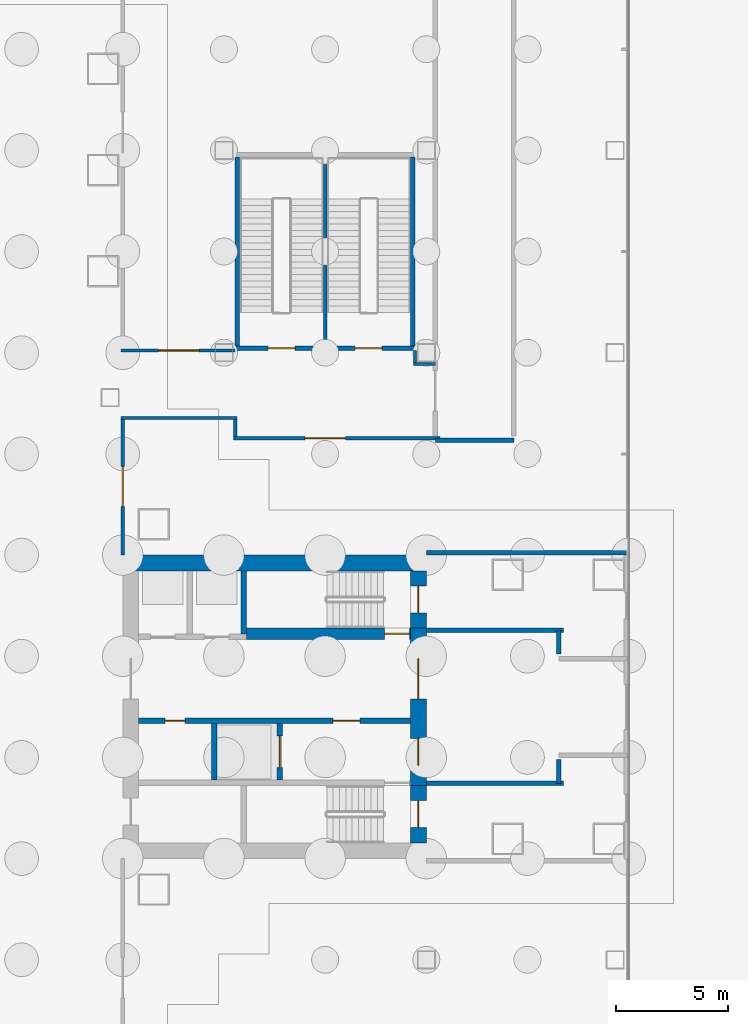
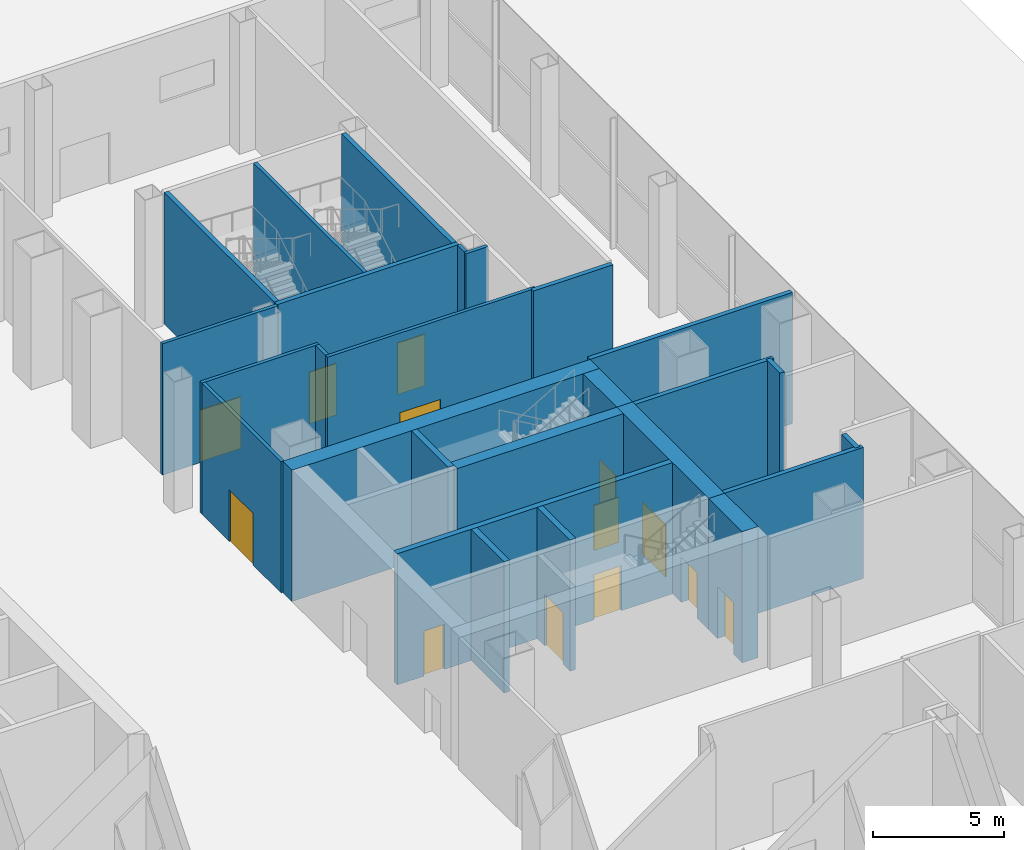
# One storey, part 23 of 37: 26 walls, 13 doors, 13 openings.
"""IFC4 building model written with IfcOpenShell, lengths in metres."""

from ifc_helpers import new_model, si_unit, direction, frame, frame_2d, origin, place, context, subcontext, project, spatial, rectangle, extrude, material, layer, layer_set, type_object, element, fill, save


model = new_model("IFC4")

# Units and contexts
model_context = context("Model", 3, precision=1e-05, world=origin(), true_north=direction((0.0, 1.0)))
body_context = subcontext(model_context, "Body", "Model", "MODEL_VIEW")
ifc_project = project(units=[si_unit("LENGTHUNIT", "METRE"), si_unit("AREAUNIT", "SQUARE_METRE"), si_unit("VOLUMEUNIT", "CUBIC_METRE"), si_unit("PLANEANGLEUNIT", "RADIAN"), si_unit("MASSUNIT", "GRAM", prefix="KILO")], contexts=[model_context])

# Site, building, storey
site_placement = place(None, origin())
site = spatial("IfcSite", under=ifc_project, at=site_placement, CompositionType="ELEMENT")
building_placement = place(site_placement, origin())
building = spatial("IfcBuilding", under=site, at=building_placement, Name="Shamsa Quay Exchange Towers", CompositionType="ELEMENT")
storey_placement = place(building_placement, origin())
storey = spatial("IfcBuildingStorey", under=building, at=storey_placement, Name="L00", CompositionType="ELEMENT", Elevation=0.0)

# Wall
ifc_material_1 = material(Name="Concrete C80/95", Category="concrete")
ifc_layer_1 = layer(ifc_material_1, 0.699951171875)
ifc_layer_set_1 = layer_set([ifc_layer_1], Name="CORE WALL 700 C80/95")
wall_type_1 = type_object("IfcWallType", Name="CORE WALL 700 C80/95", PredefinedType="SHEAR", material=ifc_layer_set_1)
wall_1_placement = place(storey_placement, frame((54.0, 6.39990234375, 0.0), z_axis=(0.0, 0.0, 1.0), x_axis=(-1.0, 0.0, 0.0)))
element("IfcWall", 1, at=wall_1_placement, inside=storey, type_object=wall_type_1, Name="Core wall T2B-L00-PN", PredefinedType="SHEAR", context=body_context, shape_type="SweptSolid", body=[
    extrude(rectangle(XDim=13.5, YDim=0.699951171875, at=frame_2d((6.75, 0.0))), origin(), (0.0, 0.0, 1.0), 6.10009765625),
])

# Wall, opening, door
wall_2_placement = place(storey_placement, frame((53.64990234375, -3.5, 0.0), z_axis=(0.0, 0.0, 1.0), x_axis=(0.0, -1.0, 0.0)))
wall_2 = element("IfcWall", 2, at=wall_2_placement, inside=storey, type_object=wall_type_1, Name="Core wall T2B-L00-PFS", PredefinedType="SHEAR", context=body_context, shape_type="SweptSolid", body=[
    extrude(rectangle(XDim=2.550048828125, YDim=0.699951171875, at=frame_2d((1.27490234375, 0.0))), origin(), (0.0, 0.0, 1.0), 6.10009765625),
])
opening_1_placement = place(wall_2_placement, frame((0.675048828125, 0.0, 0.0)))
opening_1 = element("IfcOpeningElement", 3, at=opening_1_placement, cuts=wall_2, Name="Opening T2B-L00-XD01", PredefinedType="OPENING", context=body_context, shape_type="SweptSolid", body=[
    extrude(rectangle(XDim=1.199951171875, YDim=2.39990234375, at=frame_2d((0.60009765625, 1.199951171875))), frame((0.0, 0.35986328125, 0.0), z_axis=(0.0, -1.0, 0.0), x_axis=(1.0, 0.0, 0.0)), (0.0, 0.0, 1.0), 0.719970703125),
])
ifc_material_2 = material(Name="Steel, fire rated", Category="steel")
door_type_1 = type_object("IfcDoorType", Name="STAIR DISCHARGE DOOR 1200", OperationType="SINGLE_SWING_LEFT", PredefinedType="DOOR", material=ifc_material_2)
door_1_placement = place(opening_1_placement, origin())
door_1 = element("IfcDoor", 4, at=door_1_placement, inside=storey, type_object=door_type_1, Name="T2B-L00-XD01", OperationType="SINGLE_SWING_RIGHT", OverallHeight=2.39990234375, OverallWidth=1.199951171875, PredefinedType="DOOR", context=body_context, shape_type="SweptSolid", body=[
    extrude(rectangle(XDim=1.199951171875, YDim=2.39990234375, at=frame_2d((0.60009765625, 1.199951171875))), frame((0.0, 0.02490234375, 0.0), z_axis=(0.0, -1.0, 0.0), x_axis=(1.0, 0.0, 0.0)), (0.0, 0.0, 1.0), 0.050048828125),
])
fill(opening_1, door_1)

# Wall, openings, doors
wall_3_placement = place(storey_placement, frame((53.64990234375, -3.5, 0.0), z_axis=(0.0, 0.0, 1.0), x_axis=(0.0, 1.0, 0.0)))
wall_3 = element("IfcWall", 5, at=wall_3_placement, inside=storey, type_object=wall_type_1, Name="Core wall T2B-L00-PF", PredefinedType="SHEAR", context=body_context, shape_type="SweptSolid", body=[
    extrude(rectangle(XDim=7.0, YDim=0.699951171875, at=frame_2d((3.5, 0.0))), origin(), (0.0, 0.0, 1.0), 6.10009765625),
])
opening_2_placement = place(wall_3_placement, frame((0.89990234375, 0.0, 0.0)))
opening_2 = element("IfcOpeningElement", 6, at=opening_2_placement, cuts=wall_3, Name="Opening T2B-L00-FD02", PredefinedType="OPENING", context=body_context, shape_type="SweptSolid", body=[
    extrude(rectangle(XDim=1.199951171875, YDim=2.10009765625, at=frame_2d((0.60009765625, 1.050048828125))), frame((0.0, 0.35986328125, 0.0), z_axis=(0.0, -1.0, 0.0), x_axis=(1.0, 0.0, 0.0)), (0.0, 0.0, 1.0), 0.719970703125),
])
opening_3_placement = place(wall_3_placement, frame((3.85009765625, 0.0, 0.0)))
opening_3 = element("IfcOpeningElement", 7, at=opening_3_placement, cuts=wall_3, Name="Opening T2B-L00-LBD03", PredefinedType="OPENING", context=body_context, shape_type="SweptSolid", body=[
    extrude(rectangle(XDim=1.800048828125, YDim=2.39990234375, at=frame_2d((0.89990234375, 1.199951171875))), frame((0.0, 0.35986328125, 0.0), z_axis=(0.0, -1.0, 0.0), x_axis=(1.0, 0.0, 0.0)), (0.0, 0.0, 1.0), 0.719970703125),
])
door_type_2 = type_object("IfcDoorType", Name="FIRE SERVICE LOBBY DOOR 1200", OperationType="SINGLE_SWING_LEFT", PredefinedType="DOOR", material=ifc_material_2)
door_2_placement = place(opening_2_placement, origin())
door_2 = element("IfcDoor", 8, at=door_2_placement, inside=storey, type_object=door_type_2, Name="T2B-L00-FD02", OperationType="SINGLE_SWING_LEFT", OverallHeight=2.10009765625, OverallWidth=1.199951171875, PredefinedType="DOOR", context=body_context, shape_type="SweptSolid", body=[
    extrude(rectangle(XDim=1.199951171875, YDim=2.10009765625, at=frame_2d((0.60009765625, 1.050048828125))), frame((0.0, 0.02490234375, 0.0), z_axis=(0.0, -1.0, 0.0), x_axis=(1.0, 0.0, 0.0)), (0.0, 0.0, 1.0), 0.050048828125),
])
fill(opening_2, door_2)
door_type_3 = type_object("IfcDoorType", Name="LIFT LOBBY DOOR PAIR 1800", OperationType="DOUBLE_DOOR_SINGLE_SWING", PredefinedType="DOOR", material=ifc_material_2)
door_3_placement = place(opening_3_placement, origin())
door_3 = element("IfcDoor", 9, at=door_3_placement, inside=storey, type_object=door_type_3, Name="T2B-L00-LBD03", OperationType="DOUBLE_DOOR_SINGLE_SWING", OverallHeight=2.39990234375, OverallWidth=1.800048828125, PredefinedType="DOOR", context=body_context, shape_type="SweptSolid", body=[
    extrude(rectangle(XDim=1.800048828125, YDim=2.39990234375, at=frame_2d((0.89990234375, 1.199951171875))), frame((0.0, 0.02490234375, 0.0), z_axis=(0.0, -1.0, 0.0), x_axis=(1.0, 0.0, 0.0)), (0.0, 0.0, 1.0), 0.050048828125),
])
fill(opening_3, door_3)

# Wall, opening, door
wall_4_placement = place(storey_placement, frame((53.64990234375, 6.050048828125, 0.0), z_axis=(0.0, 0.0, 1.0), x_axis=(0.0, -1.0, 0.0)))
wall_4 = element("IfcWall", 10, at=wall_4_placement, inside=storey, type_object=wall_type_1, Name="Core wall T2B-L00-PFN", PredefinedType="SHEAR", context=body_context, shape_type="SweptSolid", body=[
    extrude(rectangle(XDim=2.550048828125, YDim=0.699951171875, at=frame_2d((1.27490234375, 0.0))), origin(), (0.0, 0.0, 1.0), 6.10009765625),
])
opening_4_placement = place(wall_4_placement, frame((0.675048828125, 0.0, 0.0)))
opening_4 = element("IfcOpeningElement", 11, at=opening_4_placement, cuts=wall_4, Name="Opening T2B-L00-XD04", PredefinedType="OPENING", context=body_context, shape_type="SweptSolid", body=[
    extrude(rectangle(XDim=1.199951171875, YDim=2.39990234375, at=frame_2d((0.60009765625, 1.199951171875))), frame((0.0, 0.35986328125, 0.0), z_axis=(0.0, -1.0, 0.0), x_axis=(1.0, 0.0, 0.0)), (0.0, 0.0, 1.0), 0.719970703125),
])
door_4_placement = place(opening_4_placement, origin())
door_4 = element("IfcDoor", 12, at=door_4_placement, inside=storey, type_object=door_type_1, Name="T2B-L00-XD04", OperationType="SINGLE_SWING_LEFT", OverallHeight=2.39990234375, OverallWidth=1.199951171875, PredefinedType="DOOR", context=body_context, shape_type="SweptSolid", body=[
    extrude(rectangle(XDim=1.199951171875, YDim=2.39990234375, at=frame_2d((0.60009765625, 1.199951171875))), frame((0.0, 0.02490234375, 0.0), z_axis=(0.0, -1.0, 0.0), x_axis=(1.0, 0.0, 0.0)), (0.0, 0.0, 1.0), 0.050048828125),
])
fill(opening_4, door_4)

ifc_material_3 = material(Name="Gypsum board partition on metal studs")
ifc_layer_2 = layer(ifc_material_3, 0.14990234375)
ifc_layer_set_2 = layer_set([ifc_layer_2], Name="Partition 150 mm EI 60")
wall_type_2 = type_object("IfcWallType", Name="Partition 150 mm EI 60", PredefinedType="PARTITIONING", material=ifc_layer_set_2)
wall_5_placement = place(storey_placement, frame((40.5, 6.75, 0.0), z_axis=(0.0, 0.0, 1.0), x_axis=(0.0, 1.0, 0.0)))
wall_5 = element("IfcWall", 13, at=wall_5_placement, inside=storey, type_object=wall_type_2, Name="Partition PD-L00-W47", PredefinedType="PARTITIONING", context=body_context, shape_type="SweptSolid", body=[
    extrude(rectangle(XDim=6.024658203125, YDim=0.14990234375, at=frame_2d((3.01220703125, 0.0))), origin(), (0.0, 0.0, 1.0), 6.10009765625),
])
opening_5_placement = place(wall_5_placement, frame((2.14990234375, 0.0, 0.0)))
opening_5 = element("IfcOpeningElement", 14, at=opening_5_placement, cuts=wall_5, Name="Opening PD-L00-D32", PredefinedType="OPENING", context=body_context, shape_type="SweptSolid", body=[
    extrude(rectangle(XDim=1.800048828125, YDim=2.39990234375, at=frame_2d((0.89990234375, 1.199951171875))), frame((0.0, 0.0849609375, 0.0), z_axis=(0.0, -1.0, 0.0), x_axis=(1.0, 0.0, 0.0)), (0.0, 0.0, 1.0), 0.169921875),
])
ifc_material_4 = material(Name="Timber door leaf in a metal frame", Category="wood")
door_type_4 = type_object("IfcDoorType", Name="Door 1800x2400 FD30S pair", OperationType="NOTDEFINED", PredefinedType="DOOR", material=ifc_material_4)
door_5_placement = place(opening_5_placement, origin())
door_5 = element("IfcDoor", 15, at=door_5_placement, inside=storey, type_object=door_type_4, Name="Door PD-L00-D32", OperationType="DOUBLE_DOOR_SINGLE_SWING", OverallHeight=2.39990234375, OverallWidth=1.800048828125, PredefinedType="DOOR", context=body_context, shape_type="SweptSolid", body=[
    extrude(rectangle(XDim=1.800048828125, YDim=2.39990234375, at=frame_2d((0.89990234375, 1.199951171875))), frame((0.0, 0.02490234375, 0.0), z_axis=(0.0, -1.0, 0.0), x_axis=(1.0, 0.0, 0.0)), (0.0, 0.0, 1.0), 0.050048828125),
])
fill(opening_5, door_5)

wall_6_placement = place(storey_placement, frame((45.425048828125, 11.9501953125, 0.0)))
wall_6 = element("IfcWall", 16, at=wall_6_placement, inside=storey, type_object=wall_type_2, Name="Partition PD-L00-W58", PredefinedType="PARTITIONING", context=body_context, shape_type="SweptSolid", body=[
    extrude(rectangle(XDim=9.175048828125, YDim=0.14990234375, at=frame_2d((4.58740234375, 0.0))), origin(), (0.0, 0.0, 1.0), 6.10009765625),
])
opening_6_placement = place(wall_6_placement, frame((3.175048828125, 0.0, 0.0)))
opening_6 = element("IfcOpeningElement", 17, at=opening_6_placement, cuts=wall_6, Name="Opening PD-L00-D34", PredefinedType="OPENING", context=body_context, shape_type="SweptSolid", body=[
    extrude(rectangle(XDim=1.800048828125, YDim=2.39990234375, at=frame_2d((0.89990234375, 1.199951171875))), frame((0.0, 0.0849609375, 0.0), z_axis=(0.0, -1.0, 0.0), x_axis=(1.0, 0.0, 0.0)), (0.0, 0.0, 1.0), 0.169921875),
])
door_6_placement = place(opening_6_placement, origin())
door_6 = element("IfcDoor", 18, at=door_6_placement, inside=storey, type_object=door_type_4, Name="Door PD-L00-D34", OperationType="DOUBLE_DOOR_SINGLE_SWING", OverallHeight=2.39990234375, OverallWidth=1.800048828125, PredefinedType="DOOR", context=body_context, shape_type="SweptSolid", body=[
    extrude(rectangle(XDim=1.800048828125, YDim=2.39990234375, at=frame_2d((0.89990234375, 1.199951171875))), frame((0.0, 0.02490234375, 0.0), z_axis=(0.0, -1.0, 0.0), x_axis=(1.0, 0.0, 0.0)), (0.0, 0.0, 1.0), 0.050048828125),
])
fill(opening_6, door_6)

# Walls
wall_7_placement = place(storey_placement, frame((54.39990234375, 15.25, 0.0), z_axis=(0.0, 0.0, 1.0), x_axis=(-1.0, 0.0, 0.0)))
element("IfcWall", 19, at=wall_7_placement, inside=storey, type_object=wall_type_2, Name="Partition PD-L00-W62", PredefinedType="PARTITIONING", context=body_context, shape_type="SweptSolid", body=[
    extrude(rectangle(XDim=0.974853515625, YDim=0.14990234375, at=frame_2d((0.4873046875, 0.0))), origin(), (0.0, 0.0, 1.0), 6.10009765625),
])
wall_8_placement = place(storey_placement, frame((40.425048828125, 12.849609375, 0.0)))
element("IfcWall", 20, at=wall_8_placement, inside=storey, type_object=wall_type_2, Name="Partition PD-L00-W79", PredefinedType="PARTITIONING", context=body_context, shape_type="SweptSolid", body=[
    extrude(rectangle(XDim=5.14990234375, YDim=0.14990234375, at=frame_2d((2.574951171875, 0.0))), origin(), (0.0, 0.0, 1.0), 6.10009765625),
])
wall_9_placement = place(storey_placement, frame((45.5, 12.774658203125, 0.0), z_axis=(0.0, 0.0, 1.0), x_axis=(0.0, -1.0, 0.0)))
element("IfcWall", 21, at=wall_9_placement, inside=storey, type_object=wall_type_2, Name="Partition PD-L00-W83", PredefinedType="PARTITIONING", context=body_context, shape_type="SweptSolid", body=[
    extrude(rectangle(XDim=0.74951171875, YDim=0.14990234375, at=frame_2d((0.374755859375, 0.0))), origin(), (0.0, 0.0, 1.0), 6.10009765625),
])

# Wall, opening, door
wall_10_placement = place(storey_placement, frame((45.5, 15.849609375, 0.0), z_axis=(0.0, 0.0, 1.0), x_axis=(-1.0, 0.0, 0.0)))
wall_10 = element("IfcWall", 22, at=wall_10_placement, inside=storey, type_object=wall_type_2, Name="Partition PD-L00-W85", PredefinedType="PARTITIONING", context=body_context, shape_type="SweptSolid", body=[
    extrude(rectangle(XDim=5.074951171875, YDim=0.14990234375, at=frame_2d((2.53759765625, 0.0))), origin(), (0.0, 0.0, 1.0), 6.10009765625),
])
opening_7_placement = place(wall_10_placement, frame((1.60009765625, 0.0, 0.0)))
opening_7 = element("IfcOpeningElement", 23, at=opening_7_placement, cuts=wall_10, Name="Opening PD-L00-D35", PredefinedType="OPENING", context=body_context, shape_type="SweptSolid", body=[
    extrude(rectangle(XDim=1.800048828125, YDim=2.39990234375, at=frame_2d((0.89990234375, 1.199951171875))), frame((0.0, 0.0849609375, 0.0), z_axis=(0.0, -1.0, 0.0), x_axis=(1.0, 0.0, 0.0)), (0.0, 0.0, 1.0), 0.169921875),
])
door_7_placement = place(opening_7_placement, origin())
door_7 = element("IfcDoor", 24, at=door_7_placement, inside=storey, type_object=door_type_4, Name="Door PD-L00-D35", OperationType="DOUBLE_DOOR_SINGLE_SWING", OverallHeight=2.39990234375, OverallWidth=1.800048828125, PredefinedType="DOOR", context=body_context, shape_type="SweptSolid", body=[
    extrude(rectangle(XDim=1.800048828125, YDim=2.39990234375, at=frame_2d((0.89990234375, 1.199951171875))), frame((0.0, 0.02490234375, 0.0), z_axis=(0.0, -1.0, 0.0), x_axis=(1.0, 0.0, 0.0)), (0.0, 0.0, 1.0), 0.050048828125),
])
fill(opening_7, door_7)

# Walls
wall_11_placement = place(storey_placement, frame((53.5, 15.324951171875, 0.0), z_axis=(0.0, 0.0, 1.0), x_axis=(0.0, 1.0, 0.0)))
element("IfcWall", 25, at=wall_11_placement, inside=storey, type_object=wall_type_2, Name="Partition PD-L00-W86", PredefinedType="PARTITIONING", context=body_context, shape_type="SweptSolid", body=[
    extrude(rectangle(XDim=0.524658203125, YDim=0.14990234375, at=frame_2d((0.26220703125, 0.0))), origin(), (0.0, 0.0, 1.0), 6.10009765625),
])
ifc_layer_3 = layer(ifc_material_3, 0.199951171875)
ifc_layer_set_3 = layer_set([ifc_layer_3], Name="Partition 200 mm EI 120")
wall_type_3 = type_object("IfcWallType", Name="Partition 200 mm EI 120", PredefinedType="PARTITIONING", material=ifc_layer_set_3)
for number, where, z_axis, x_axis, name in (
    (26, (59.89990234375, 3.39990234375, 0.0), (0.0, 0.0, 1.0), (0.0, -1.0, 0.0), "Partition PD-L00-W17"),
    (27, (59.89990234375, -2.35009765625, 0.0), (0.0, 0.0, 1.0), (0.0, -1.0, 0.0), "Partition PD-L00-W18"),
):
    element("IfcWall", number, at=place(storey_placement, frame(where, z_axis=z_axis, x_axis=x_axis)), inside=storey, type_object=wall_type_3, Name=name, PredefinedType="PARTITIONING", context=body_context, shape_type="SweptSolid", body=[
        extrude(rectangle(XDim=1.0498046875, YDim=0.199951171875, at=frame_2d((0.52490234375, 0.0))), origin(), (0.0, 0.0, 1.0), 6.10009765625),
    ])
wall_12_placement = place(storey_placement, frame((54.0, 3.39990234375, 0.0)))
element("IfcWall", 28, at=wall_12_placement, inside=storey, type_object=wall_type_3, Name="Partition PD-L00-W19", PredefinedType="PARTITIONING", context=body_context, shape_type="SweptSolid", body=[
    extrude(rectangle(XDim=6.10009765625, YDim=0.199951171875, at=frame_2d((3.050048828125, 0.0))), origin(), (0.0, 0.0, 1.0), 6.10009765625),
])
wall_13_placement = place(storey_placement, frame((62.905029296875, 6.85009765625, 0.0), z_axis=(0.0, 0.0, 1.0), x_axis=(-1.0, 0.0, 0.0)))
element("IfcWall", 29, at=wall_13_placement, inside=storey, type_object=wall_type_3, Name="Partition PD-L00-W20", PredefinedType="PARTITIONING", context=body_context, shape_type="SweptSolid", body=[
    extrude(rectangle(XDim=8.905029296875, YDim=0.199951171875, at=frame_2d((4.45263671875, 0.0))), origin(), (0.0, 0.0, 1.0), 6.10009765625),
])
wall_14_placement = place(storey_placement, frame((60.10009765625, -3.39990234375, 0.0), z_axis=(0.0, 0.0, 1.0), x_axis=(-1.0, 0.0, 0.0)))
element("IfcWall", 30, at=wall_14_placement, inside=storey, type_object=wall_type_3, Name="Partition PD-L00-W21", PredefinedType="PARTITIONING", context=body_context, shape_type="SweptSolid", body=[
    extrude(rectangle(XDim=6.10009765625, YDim=0.199951171875, at=frame_2d((3.050048828125, 0.0))), origin(), (0.0, 0.0, 1.0), 6.10009765625),
])
wall_15_placement = place(storey_placement, frame((54.39990234375, 11.85009765625, 0.0)))
element("IfcWall", 31, at=wall_15_placement, inside=storey, type_object=wall_type_3, Name="Partition PD-L00-W29", PredefinedType="PARTITIONING", context=body_context, shape_type="SweptSolid", body=[
    extrude(rectangle(XDim=3.5, YDim=0.199951171875, at=frame_2d((1.75, 0.0))), origin(), (0.0, 0.0, 1.0), 6.10009765625),
])

# Wall, openings, doors
ifc_material_5 = material(Name="Concrete C50/60", Category="concrete")
ifc_layer_4 = layer(ifc_material_5, 0.25)
ifc_layer_set_4 = layer_set([ifc_layer_4], Name="SHAFT WALL 250 C50/60")
wall_type_4 = type_object("IfcWallType", Name="SHAFT WALL 250 C50/60", PredefinedType="SHEAR", material=ifc_layer_set_4)
wall_16_placement = place(storey_placement, frame((53.300048828125, -0.625, 0.0), z_axis=(0.0, 0.0, 1.0), x_axis=(-1.0, 0.0, 0.0)))
wall_16 = element("IfcWall", 32, at=wall_16_placement, inside=storey, type_object=wall_type_4, Name="Shaft wall T2B-L00-B", PredefinedType="SHEAR", context=body_context, shape_type="SweptSolid", body=[
    extrude(rectangle(XDim=12.10009765625, YDim=0.25, at=frame_2d((6.050048828125, 0.0))), origin(), (0.0, 0.0, 1.0), 6.10009765625),
])
opening_8_placement = place(wall_16_placement, frame((2.25, 0.0, 0.0)))
opening_8 = element("IfcOpeningElement", 33, at=opening_8_placement, cuts=wall_16, Name="Opening T2B-L00-FD08", PredefinedType="OPENING", context=body_context, shape_type="SweptSolid", body=[
    extrude(rectangle(XDim=1.199951171875, YDim=2.10009765625, at=frame_2d((0.60009765625, 1.050048828125))), frame((0.0, 0.135009765625, 0.0), z_axis=(0.0, -1.0, 0.0), x_axis=(1.0, 0.0, 0.0)), (0.0, 0.0, 1.0), 0.27001953125),
])
opening_9_placement = place(wall_16_placement, frame((10.02490234375, 0.0, 0.0)))
opening_9 = element("IfcOpeningElement", 34, at=opening_9_placement, cuts=wall_16, Name="Opening T2B-L00-SV09", PredefinedType="OPENING", context=body_context, shape_type="SweptSolid", body=[
    extrude(rectangle(XDim=0.89990234375, YDim=2.10009765625, at=frame_2d((0.449951171875, 1.050048828125))), frame((0.0, 0.135009765625, 0.0), z_axis=(0.0, -1.0, 0.0), x_axis=(1.0, 0.0, 0.0)), (0.0, 0.0, 1.0), 0.27001953125),
])
door_8_placement = place(opening_8_placement, origin())
door_8 = element("IfcDoor", 35, at=door_8_placement, inside=storey, type_object=door_type_2, Name="T2B-L00-FD08", OperationType="SINGLE_SWING_LEFT", OverallHeight=2.10009765625, OverallWidth=1.199951171875, PredefinedType="DOOR", context=body_context, shape_type="SweptSolid", body=[
    extrude(rectangle(XDim=1.199951171875, YDim=2.10009765625, at=frame_2d((0.60009765625, 1.050048828125))), frame((0.0, 0.02490234375, 0.0), z_axis=(0.0, -1.0, 0.0), x_axis=(1.0, 0.0, 0.0)), (0.0, 0.0, 1.0), 0.050048828125),
])
fill(opening_8, door_8)
door_type_5 = type_object("IfcDoorType", Name="SERVICE ROOM DOOR 900", OperationType="SINGLE_SWING_LEFT", PredefinedType="DOOR", material=ifc_material_2)
door_9_placement = place(opening_9_placement, origin())
door_9 = element("IfcDoor", 36, at=door_9_placement, inside=storey, type_object=door_type_5, Name="T2B-L00-SV09", OperationType="SINGLE_SWING_RIGHT", OverallHeight=2.10009765625, OverallWidth=0.89990234375, PredefinedType="DOOR", context=body_context, shape_type="SweptSolid", body=[
    extrude(rectangle(XDim=0.89990234375, YDim=2.10009765625, at=frame_2d((0.449951171875, 1.050048828125))), frame((0.0, 0.02490234375, 0.0), z_axis=(0.0, -1.0, 0.0), x_axis=(1.0, 0.0, 0.0)), (0.0, 0.0, 1.0), 0.050048828125),
])
fill(opening_9, door_9)

# Wall, opening, door
wall_17_placement = place(storey_placement, frame((47.47509765625, -3.25, 0.0), z_axis=(0.0, 0.0, 1.0), x_axis=(0.0, 1.0, 0.0)))
wall_17 = element("IfcWall", 37, at=wall_17_placement, inside=storey, type_object=wall_type_4, Name="Shaft wall T2B-L00-FFF", PredefinedType="SHEAR", context=body_context, shape_type="SweptSolid", body=[
    extrude(rectangle(XDim=2.5, YDim=0.25, at=frame_2d((1.25, 0.0))), origin(), (0.0, 0.0, 1.0), 6.10009765625),
])
opening_10_placement = place(wall_17_placement, frame((0.550048828125, 0.0, 0.0)))
opening_10 = element("IfcOpeningElement", 38, at=opening_10_placement, cuts=wall_17, Name="Opening T2B-L00-LDG10", PredefinedType="OPENING", context=body_context, shape_type="SweptSolid", body=[
    extrude(rectangle(XDim=1.39990234375, YDim=2.39990234375, at=frame_2d((0.699951171875, 1.199951171875))), frame((0.0, 0.135009765625, 0.0), z_axis=(0.0, -1.0, 0.0), x_axis=(1.0, 0.0, 0.0)), (0.0, 0.0, 1.0), 0.27001953125),
])
door_type_6 = type_object("IfcDoorType", Name="GOODS LIFT LANDING DOOR 1400", OperationType="SLIDING_TO_LEFT", PredefinedType="DOOR", material=ifc_material_2)
door_10_placement = place(opening_10_placement, origin())
door_10 = element("IfcDoor", 39, at=door_10_placement, inside=storey, type_object=door_type_6, Name="T2B-L00-LDG10", OperationType="SLIDING_TO_LEFT", OverallHeight=2.39990234375, OverallWidth=1.39990234375, PredefinedType="DOOR", context=body_context, shape_type="SweptSolid", body=[
    extrude(rectangle(XDim=1.39990234375, YDim=2.39990234375, at=frame_2d((0.699951171875, 1.199951171875))), frame((0.0, 0.02490234375, 0.0), z_axis=(0.0, -1.0, 0.0), x_axis=(1.0, 0.0, 0.0)), (0.0, 0.0, 1.0), 0.050048828125),
])
fill(opening_10, door_10)

# Walls
wall_18_placement = place(storey_placement, frame((44.574951171875, -3.25, 0.0), z_axis=(0.0, 0.0, 1.0), x_axis=(0.0, 1.0, 0.0)))
element("IfcWall", 40, at=wall_18_placement, inside=storey, type_object=wall_type_4, Name="Shaft wall T2B-L00-FFB", PredefinedType="SHEAR", context=body_context, shape_type="SweptSolid", body=[
    extrude(rectangle(XDim=2.5, YDim=0.25, at=frame_2d((1.25, 0.0))), origin(), (0.0, 0.0, 1.0), 6.10009765625),
])
wall_19_placement = place(storey_placement, frame((45.875, 3.25, 0.0), z_axis=(0.0, 0.0, 1.0), x_axis=(0.0, 1.0, 0.0)))
element("IfcWall", 41, at=wall_19_placement, inside=storey, type_object=wall_type_4, Name="Shaft wall T2B-L00-STF2", PredefinedType="SHEAR", context=body_context, shape_type="SweptSolid", body=[
    extrude(rectangle(XDim=2.800048828125, YDim=0.25, at=frame_2d((1.39990234375, 0.0))), origin(), (0.0, 0.0, 1.0), 6.10009765625),
])

# Wall, opening, door
ifc_layer_5 = layer(ifc_material_5, 0.5)
ifc_layer_set_5 = layer_set([ifc_layer_5], Name="SHAFT WALL 500 C50/60")
wall_type_5 = type_object("IfcWallType", Name="SHAFT WALL 500 C50/60", PredefinedType="SHEAR", material=ifc_layer_set_5)
wall_20_placement = place(storey_placement, frame((46.0, 3.25, 0.0)))
wall_20 = element("IfcWall", 42, at=wall_20_placement, inside=storey, type_object=wall_type_5, Name="Shaft wall T2B-L00-N", PredefinedType="SHEAR", context=body_context, shape_type="SweptSolid", body=[
    extrude(rectangle(XDim=7.300048828125, YDim=0.5, at=frame_2d((3.64990234375, 0.0))), origin(), (0.0, 0.0, 1.0), 6.10009765625),
])
opening_11_placement = place(wall_20_placement, frame((6.14990234375, 0.0, 0.0)))
opening_11 = element("IfcOpeningElement", 43, at=opening_11_placement, cuts=wall_20, Name="Opening T2B-L00-SD11", PredefinedType="OPENING", context=body_context, shape_type="SweptSolid", body=[
    extrude(rectangle(XDim=1.10009765625, YDim=2.10009765625, at=frame_2d((0.550048828125, 1.050048828125))), frame((0.0, 0.260009765625, 0.0), z_axis=(0.0, -1.0, 0.0), x_axis=(1.0, 0.0, 0.0)), (0.0, 0.0, 1.0), 0.52001953125),
])
door_type_7 = type_object("IfcDoorType", Name="STAIR DOOR 1100", OperationType="SINGLE_SWING_LEFT", PredefinedType="DOOR", material=ifc_material_2)
door_11_placement = place(opening_11_placement, origin())
door_11 = element("IfcDoor", 44, at=door_11_placement, inside=storey, type_object=door_type_7, Name="T2B-L00-SD11", OperationType="SINGLE_SWING_RIGHT", OverallHeight=2.10009765625, OverallWidth=1.10009765625, PredefinedType="DOOR", context=body_context, shape_type="SweptSolid", body=[
    extrude(rectangle(XDim=1.10009765625, YDim=2.10009765625, at=frame_2d((0.550048828125, 1.050048828125))), frame((0.0, 0.02490234375, 0.0), z_axis=(0.0, -1.0, 0.0), x_axis=(1.0, 0.0, 0.0)), (0.0, 0.0, 1.0), 0.050048828125),
])
fill(opening_11, door_11)

# Wall, openings, doors
ifc_layer_6 = layer(ifc_material_5, 0.199951171875)
ifc_layer_set_6 = layer_set([ifc_layer_6], Name="STAIR ENCLOSURE WALL 200 C50/60")
wall_type_6 = type_object("IfcWallType", Name="STAIR ENCLOSURE WALL 200 C50/60", PredefinedType="SHEAR", material=ifc_layer_set_6)
wall_21_placement = place(storey_placement, frame((45.5, 15.949951171875, 0.0)))
wall_21 = element("IfcWall", 45, at=wall_21_placement, inside=storey, type_object=wall_type_6, Name="Stair enclosure wall PS4 inward", PredefinedType="SHEAR", context=body_context, shape_type="SweptSolid", body=[
    extrude(rectangle(XDim=8.0, YDim=0.199951171875, at=frame_2d((4.0, 0.0))), origin(), (0.0, 0.0, 1.0), 6.10009765625),
])
opening_12_placement = place(wall_21_placement, frame((1.46240234375, 0.0, 0.0)))
opening_12 = element("IfcOpeningElement", 46, at=opening_12_placement, cuts=wall_21, Name="Opening PS4A-L00-SD01", PredefinedType="OPENING", context=body_context, shape_type="SweptSolid", body=[
    extrude(rectangle(XDim=1.199951171875, YDim=2.39990234375, at=frame_2d((0.60009765625, 1.199951171875))), frame((0.0, 0.10986328125, 0.0), z_axis=(0.0, -1.0, 0.0), x_axis=(1.0, 0.0, 0.0)), (0.0, 0.0, 1.0), 0.219970703125),
])
opening_13_placement = place(wall_21_placement, frame((5.33740234375, 0.0, 0.0)))
opening_13 = element("IfcOpeningElement", 47, at=opening_13_placement, cuts=wall_21, Name="Opening PS4B-L00-SD01", PredefinedType="OPENING", context=body_context, shape_type="SweptSolid", body=[
    extrude(rectangle(XDim=1.199951171875, YDim=2.39990234375, at=frame_2d((0.60009765625, 1.199951171875))), frame((0.0, 0.10986328125, 0.0), z_axis=(0.0, -1.0, 0.0), x_axis=(1.0, 0.0, 0.0)), (0.0, 0.0, 1.0), 0.219970703125),
])
door_type_8 = type_object("IfcDoorType", Name="PODIUM STAIR DOOR 1200", OperationType="SINGLE_SWING_LEFT", PredefinedType="DOOR", material=ifc_material_2)
door_12_placement = place(opening_12_placement, origin())
door_12 = element("IfcDoor", 48, at=door_12_placement, inside=storey, type_object=door_type_8, Name="PS4A-L00-SD01", OperationType="SINGLE_SWING_LEFT", OverallHeight=2.39990234375, OverallWidth=1.199951171875, PredefinedType="DOOR", context=body_context, shape_type="SweptSolid", body=[
    extrude(rectangle(XDim=1.199951171875, YDim=2.39990234375, at=frame_2d((0.60009765625, 1.199951171875))), frame((0.0, 0.02490234375, 0.0), z_axis=(0.0, -1.0, 0.0), x_axis=(1.0, 0.0, 0.0)), (0.0, 0.0, 1.0), 0.050048828125),
])
fill(opening_12, door_12)
door_13_placement = place(opening_13_placement, origin())
door_13 = element("IfcDoor", 49, at=door_13_placement, inside=storey, type_object=door_type_8, Name="PS4B-L00-SD01", OperationType="SINGLE_SWING_RIGHT", OverallHeight=2.39990234375, OverallWidth=1.199951171875, PredefinedType="DOOR", context=body_context, shape_type="SweptSolid", body=[
    extrude(rectangle(XDim=1.199951171875, YDim=2.39990234375, at=frame_2d((0.60009765625, 1.199951171875))), frame((0.0, 0.02490234375, 0.0), z_axis=(0.0, -1.0, 0.0), x_axis=(1.0, 0.0, 0.0)), (0.0, 0.0, 1.0), 0.050048828125),
])
fill(opening_13, door_13)

# Walls
for number, where, z_axis, x_axis, name in (
    (50, (45.60009765625, 16.050048828125, 0.0), (0.0, 0.0, 1.0), (0.0, 1.0, 0.0), "Stair enclosure wall PS4 west"),
    (51, (53.39990234375, 16.050048828125, 0.0), (0.0, 0.0, 1.0), (0.0, 1.0, 0.0), "Stair enclosure wall PS4 east"),
):
    element("IfcWall", number, at=place(storey_placement, frame(where, z_axis=z_axis, x_axis=x_axis)), inside=storey, type_object=wall_type_6, Name=name, PredefinedType="SHEAR", context=body_context, shape_type="SweptSolid", body=[
        extrude(rectangle(XDim=8.39990234375, YDim=0.199951171875, at=frame_2d((4.199951171875, 0.0))), origin(), (0.0, 0.0, 1.0), 6.10009765625),
    ])
ifc_layer_7 = layer(ifc_material_5, 0.14990234375)
ifc_layer_set_7 = layer_set([ifc_layer_7], Name="STAIR PARTITION WALL 150 C50/60")
wall_type_7 = type_object("IfcWallType", Name="STAIR PARTITION WALL 150 C50/60", PredefinedType="SHEAR", material=ifc_layer_set_7)
wall_22_placement = place(storey_placement, frame((49.5, 16.050048828125, 0.0), z_axis=(0.0, 0.0, 1.0), x_axis=(0.0, 1.0, 0.0)))
element("IfcWall", 52, at=wall_22_placement, inside=storey, type_object=wall_type_7, Name="Stair enclosure wall PS4 between the stairs", PredefinedType="SHEAR", context=body_context, shape_type="SweptSolid", body=[
    extrude(rectangle(XDim=8.39990234375, YDim=0.14990234375, at=frame_2d((4.199951171875, 0.0))), origin(), (0.0, 0.0, 1.0), 6.10009765625),
])

save(model, "model.ifc")
